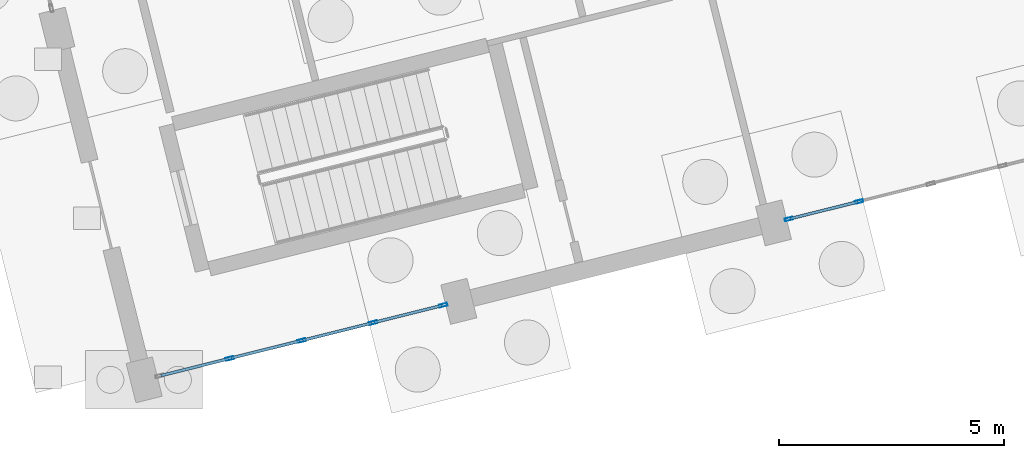
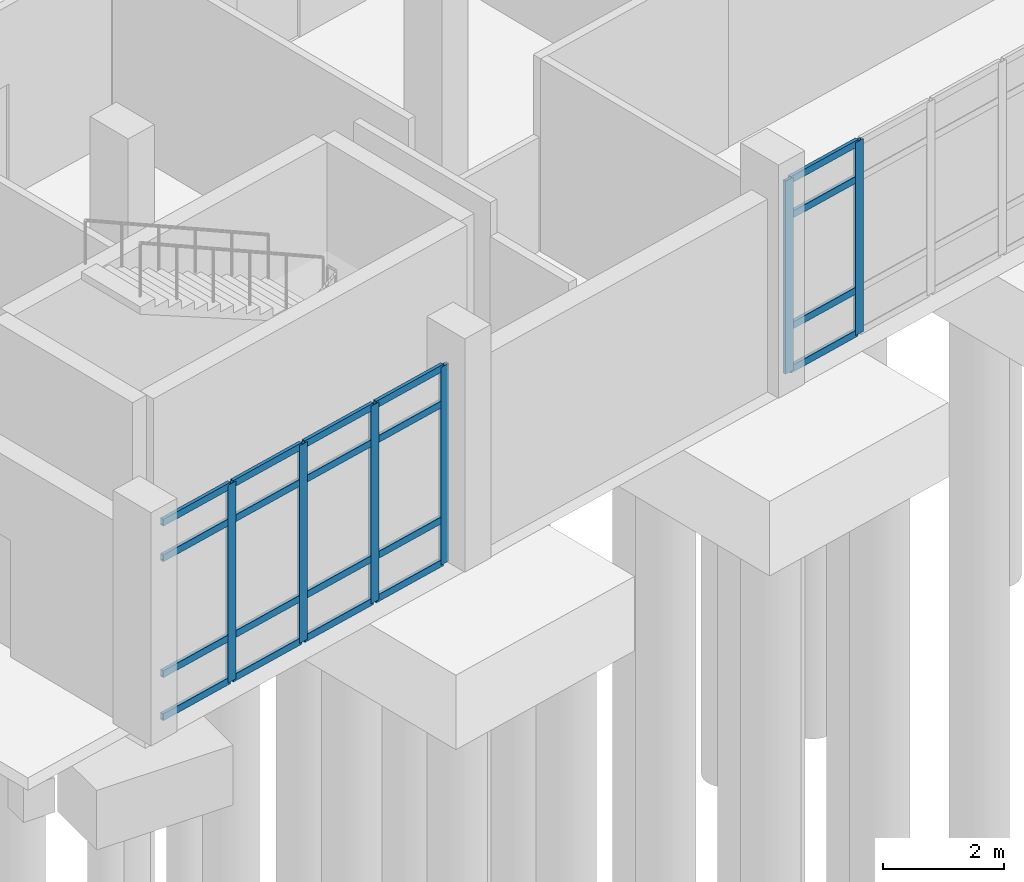
# One storey, part 91 of 173: 26 members, 2 elements without a shape of their own.
"""IFC4 building model written with IfcOpenShell, lengths in metres."""

from ifc_helpers import new_model, si_unit, direction, frame, origin, origin_2d, place, context, subcontext, project, spatial, hollow_rectangle, extrude, material, layer, layer_set, material_profile, profile_set, type_object, element, aggregate, save


model = new_model("IFC4")

# Units and contexts
model_context = context("Model", 3, precision=1e-05, world=origin(), true_north=direction((0.0, 1.0)))
body_context = subcontext(model_context, "Body", "Model", "MODEL_VIEW")
ifc_project = project(units=[si_unit("LENGTHUNIT", "METRE"), si_unit("AREAUNIT", "SQUARE_METRE"), si_unit("VOLUMEUNIT", "CUBIC_METRE"), si_unit("PLANEANGLEUNIT", "RADIAN"), si_unit("MASSUNIT", "GRAM", prefix="KILO")], contexts=[model_context])

# Site, building, storey
site_placement = place(None, origin())
site = spatial("IfcSite", under=ifc_project, at=site_placement, CompositionType="ELEMENT")
building_placement = place(site_placement, origin())
building = spatial("IfcBuilding", under=site, at=building_placement, Name="Mawjan Specialist Oncology Clinic", CompositionType="ELEMENT")
storey_placement = place(building_placement, origin())
storey = spatial("IfcBuildingStorey", under=building, at=storey_placement, Name="L00", CompositionType="ELEMENT", Elevation=0.0)

# Curtain wall, members
ifc_material_1 = material(Name="Unitised spectrally selective aluminium curtain wall", Category="aluminium")
ifc_layer_1 = layer(ifc_material_1, 0.179931640625, Name="Unitised spectrally selective aluminium curtain wall", Category="aluminium")
ifc_layer_set_1 = layer_set([ifc_layer_1], Name="Unitised spectrally selective aluminium curtain wall")
curtain_wall_type_1 = type_object("IfcCurtainWallType", Name="CW-36", PredefinedType="NOTDEFINED", material=ifc_layer_set_1)
curtain_wall_1_placement = place(storey_placement, origin())
curtain_wall_1 = element("IfcCurtainWall", 1, at=curtain_wall_1_placement, inside=storey, type_object=curtain_wall_type_1, Name="L00 Unitised Curtain Wall CW-L00-077", PredefinedType="NOTDEFINED")
ifc_material_2 = material(Name="Thermally broken aluminium 6063-T6", Category="aluminium")
ifc_material_profile_1 = material_profile(ifc_material_2, hollow_rectangle(XDim=0.06494140625, YDim=0.179931640625, WallThickness=0.00390625, at=origin_2d()), Name="ALU MULLION 180x65x4", Category="aluminium")
ifc_profile_set_1 = profile_set([ifc_material_profile_1], Name="Thermally broken aluminium 6063-T6")
member_type_1 = type_object("IfcMemberType", Name="CW-M180", PredefinedType="MULLION", material=ifc_profile_set_1)
member_1_placement = place(storey_placement, frame((141.8740234375, 4.7578125, 0.0), z_axis=(0.0, 0.0, 1.0), x_axis=(0.241921946692, -0.970295713537, 0.0)))
member_1 = element("IfcMember", 2, at=member_1_placement, type_object=member_type_1, Name="CW-36 mullion 4", PredefinedType="MULLION", context=body_context, shape_type="SweptSolid", body=[
    extrude(hollow_rectangle(XDim=0.06494140625, YDim=0.179931640625, WallThickness=0.00390625, at=origin_2d()), origin(), (0.0, 0.0, 1.0), 3.885009765625),
])
member_2_placement = place(storey_placement, frame((140.314208984375, 4.368896484375, 0.0), z_axis=(0.0, 0.0, 1.0), x_axis=(0.241921946692, -0.970295713537, 0.0)))
member_2 = element("IfcMember", 3, at=member_2_placement, type_object=member_type_1, Name="CW-36 mullion 5", PredefinedType="MULLION", context=body_context, shape_type="SweptSolid", body=[
    extrude(hollow_rectangle(XDim=0.06494140625, YDim=0.179931640625, WallThickness=0.00390625, at=origin_2d()), origin(), (0.0, 0.0, 1.0), 3.885009765625),
])

ifc_material_3 = material(Name="Unitised spectrally selective aluminium curtain wall", Category="aluminium")
ifc_layer_2 = layer(ifc_material_3, 0.179931640625, Name="Unitised spectrally selective aluminium curtain wall", Category="aluminium")
ifc_layer_set_2 = layer_set([ifc_layer_2], Name="Unitised spectrally selective aluminium curtain wall")
curtain_wall_type_2 = type_object("IfcCurtainWallType", Name="CW-37", PredefinedType="NOTDEFINED", material=ifc_layer_set_2)
curtain_wall_2_placement = place(storey_placement, origin())
curtain_wall_2 = element("IfcCurtainWall", 4, at=curtain_wall_2_placement, inside=storey, type_object=curtain_wall_type_2, Name="L00 Unitised Curtain Wall CW-L00-078", PredefinedType="NOTDEFINED")
member_3_placement = place(storey_placement, frame((132.64404296875, 2.45654296875, 0.0), z_axis=(0.0, 0.0, 1.0), x_axis=(0.241921982475, -0.970295704615, 0.0)))
member_3 = element("IfcMember", 5, at=member_3_placement, type_object=member_type_1, Name="CW-37 mullion 1", PredefinedType="MULLION", context=body_context, shape_type="SweptSolid", body=[
    extrude(hollow_rectangle(XDim=0.06494140625, YDim=0.179931640625, WallThickness=0.00390625, at=origin_2d()), origin(), (0.0, 0.0, 1.0), 3.985107421875),
])
member_4_placement = place(storey_placement, frame((131.084228515625, 2.067626953125, 0.0), z_axis=(0.0, 0.0, 1.0), x_axis=(0.241921982475, -0.970295704615, 0.0)))
member_4 = element("IfcMember", 6, at=member_4_placement, type_object=member_type_1, Name="CW-37 mullion 2", PredefinedType="MULLION", context=body_context, shape_type="SweptSolid", body=[
    extrude(hollow_rectangle(XDim=0.06494140625, YDim=0.179931640625, WallThickness=0.00390625, at=origin_2d()), origin(), (0.0, 0.0, 1.0), 3.985107421875),
])
member_5_placement = place(storey_placement, frame((129.4931640625, 1.6708984375, 0.0), z_axis=(0.0, 0.0, 1.0), x_axis=(0.241921982475, -0.970295704615, 0.0)))
member_5 = element("IfcMember", 7, at=member_5_placement, type_object=member_type_1, Name="CW-37 mullion 3", PredefinedType="MULLION", context=body_context, shape_type="SweptSolid", body=[
    extrude(hollow_rectangle(XDim=0.06494140625, YDim=0.179931640625, WallThickness=0.00390625, at=origin_2d()), origin(), (0.0, 0.0, 1.0), 3.985107421875),
])
member_6_placement = place(storey_placement, frame((127.90185546875, 1.274169921875, 0.0), z_axis=(0.0, 0.0, 1.0), x_axis=(0.241921982475, -0.970295704615, 0.0)))
member_6 = element("IfcMember", 8, at=member_6_placement, type_object=member_type_1, Name="CW-37 mullion 4", PredefinedType="MULLION", context=body_context, shape_type="SweptSolid", body=[
    extrude(hollow_rectangle(XDim=0.06494140625, YDim=0.179931640625, WallThickness=0.00390625, at=origin_2d()), origin(), (0.0, 0.0, 1.0), 3.985107421875),
])

# Member
ifc_material_4 = material(Name="Thermally broken aluminium 6063-T6", Category="aluminium")
ifc_material_profile_2 = material_profile(ifc_material_4, hollow_rectangle(XDim=0.06494140625, YDim=0.139892578125, WallThickness=0.00390625, at=origin_2d()), Name="ALU TRANSOM 140x65x4", Category="aluminium")
ifc_profile_set_2 = profile_set([ifc_material_profile_2], Name="Thermally broken aluminium 6063-T6")
member_type_2 = type_object("IfcMemberType", Name="CW-T140", PredefinedType="USERDEFINED", material=ifc_profile_set_2)
member_7_placement = place(storey_placement, frame((141.842529296875, 4.75, 0.032470703125), z_axis=(-0.970281979076, -0.241977025935, 0.0), x_axis=(0.241977025935, -0.970281979076, 0.0)))
member_7 = element("IfcMember", 9, at=member_7_placement, type_object=member_type_2, Name="CW-36 transom 4.1", ObjectType="TRANSOM", PredefinedType="USERDEFINED", context=body_context, shape_type="SweptSolid", body=[
    extrude(hollow_rectangle(XDim=0.06494140625, YDim=0.139892578125, WallThickness=0.00390625, at=origin_2d()), origin(), (0.0, 0.0, 1.0), 1.542724609375),
])

member_8_placement = place(storey_placement, frame((141.842529296875, 4.75, 0.89990234375), z_axis=(-0.970281979076, -0.241977025935, 0.0), x_axis=(0.241977025935, -0.970281979076, 0.0)))
member_8 = element("IfcMember", 10, at=member_8_placement, type_object=member_type_2, Name="CW-36 transom 4.2", ObjectType="TRANSOM", PredefinedType="USERDEFINED", context=body_context, shape_type="SweptSolid", body=[
    extrude(hollow_rectangle(XDim=0.06494140625, YDim=0.139892578125, WallThickness=0.00390625, at=origin_2d()), origin(), (0.0, 0.0, 1.0), 1.542724609375),
])

member_9_placement = place(storey_placement, frame((141.842529296875, 4.75, 3.135009765625), z_axis=(-0.970281979076, -0.241977025935, 0.0), x_axis=(0.241977025935, -0.970281979076, 0.0)))
member_9 = element("IfcMember", 11, at=member_9_placement, type_object=member_type_2, Name="CW-36 transom 4.3", ObjectType="TRANSOM", PredefinedType="USERDEFINED", context=body_context, shape_type="SweptSolid", body=[
    extrude(hollow_rectangle(XDim=0.06494140625, YDim=0.139892578125, WallThickness=0.00390625, at=origin_2d()), origin(), (0.0, 0.0, 1.0), 1.542724609375),
])

member_10_placement = place(storey_placement, frame((141.842529296875, 4.75, 3.8525390625), z_axis=(-0.970281979076, -0.241977025935, 0.0), x_axis=(0.241977025935, -0.970281979076, 0.0)))
member_10 = element("IfcMember", 12, at=member_10_placement, type_object=member_type_2, Name="CW-36 transom 4.4", ObjectType="TRANSOM", PredefinedType="USERDEFINED", context=body_context, shape_type="SweptSolid", body=[
    extrude(hollow_rectangle(XDim=0.06494140625, YDim=0.139892578125, WallThickness=0.00390625, at=origin_2d()), origin(), (0.0, 0.0, 1.0), 1.542724609375),
])

aggregate(curtain_wall_1, [member_1, member_2, member_7, member_8, member_9, member_10])

member_11_placement = place(storey_placement, frame((132.612548828125, 2.44873046875, 0.032470703125), z_axis=(-0.970272710459, -0.242014188302, 0.0), x_axis=(0.242014188302, -0.970272710459, 0.0)))
member_11 = element("IfcMember", 13, at=member_11_placement, type_object=member_type_2, Name="CW-37 transom 1.1", ObjectType="TRANSOM", PredefinedType="USERDEFINED", context=body_context, shape_type="SweptSolid", body=[
    extrude(hollow_rectangle(XDim=0.06494140625, YDim=0.139892578125, WallThickness=0.00390625, at=origin_2d()), origin(), (0.0, 0.0, 1.0), 1.54248046875),
])

member_12_placement = place(storey_placement, frame((132.612548828125, 2.44873046875, 0.89990234375), z_axis=(-0.970272710459, -0.242014188302, 0.0), x_axis=(0.242014188302, -0.970272710459, 0.0)))
member_12 = element("IfcMember", 14, at=member_12_placement, type_object=member_type_2, Name="CW-37 transom 1.2", ObjectType="TRANSOM", PredefinedType="USERDEFINED", context=body_context, shape_type="SweptSolid", body=[
    extrude(hollow_rectangle(XDim=0.06494140625, YDim=0.139892578125, WallThickness=0.00390625, at=origin_2d()), origin(), (0.0, 0.0, 1.0), 1.54248046875),
])

member_13_placement = place(storey_placement, frame((132.612548828125, 2.44873046875, 3.235107421875), z_axis=(-0.970272710459, -0.242014188302, 0.0), x_axis=(0.242014188302, -0.970272710459, 0.0)))
member_13 = element("IfcMember", 15, at=member_13_placement, type_object=member_type_2, Name="CW-37 transom 1.3", ObjectType="TRANSOM", PredefinedType="USERDEFINED", context=body_context, shape_type="SweptSolid", body=[
    extrude(hollow_rectangle(XDim=0.06494140625, YDim=0.139892578125, WallThickness=0.00390625, at=origin_2d()), origin(), (0.0, 0.0, 1.0), 1.54248046875),
])

member_14_placement = place(storey_placement, frame((132.612548828125, 2.44873046875, 3.952392578125), z_axis=(-0.970272710459, -0.242014188302, 0.0), x_axis=(0.242014188302, -0.970272710459, 0.0)))
member_14 = element("IfcMember", 16, at=member_14_placement, type_object=member_type_2, Name="CW-37 transom 1.4", ObjectType="TRANSOM", PredefinedType="USERDEFINED", context=body_context, shape_type="SweptSolid", body=[
    extrude(hollow_rectangle(XDim=0.06494140625, YDim=0.139892578125, WallThickness=0.00390625, at=origin_2d()), origin(), (0.0, 0.0, 1.0), 1.54248046875),
])

member_15_placement = place(storey_placement, frame((131.052734375, 2.059814453125, 0.032470703125), z_axis=(-0.970279129475, -0.241988452007, 0.0), x_axis=(0.241988452007, -0.970279129475, 0.0)))
member_15 = element("IfcMember", 17, at=member_15_placement, type_object=member_type_2, Name="CW-37 transom 2.1", ObjectType="TRANSOM", PredefinedType="USERDEFINED", context=body_context, shape_type="SweptSolid", body=[
    extrude(hollow_rectangle(XDim=0.06494140625, YDim=0.139892578125, WallThickness=0.00390625, at=origin_2d()), origin(), (0.0, 0.0, 1.0), 1.574951171875),
])

member_16_placement = place(storey_placement, frame((131.052734375, 2.059814453125, 0.89990234375), z_axis=(-0.970279129475, -0.241988452007, 0.0), x_axis=(0.241988452007, -0.970279129475, 0.0)))
member_16 = element("IfcMember", 18, at=member_16_placement, type_object=member_type_2, Name="CW-37 transom 2.2", ObjectType="TRANSOM", PredefinedType="USERDEFINED", context=body_context, shape_type="SweptSolid", body=[
    extrude(hollow_rectangle(XDim=0.06494140625, YDim=0.139892578125, WallThickness=0.00390625, at=origin_2d()), origin(), (0.0, 0.0, 1.0), 1.574951171875),
])

member_17_placement = place(storey_placement, frame((131.052734375, 2.059814453125, 3.235107421875), z_axis=(-0.970279129475, -0.241988452007, 0.0), x_axis=(0.241988452007, -0.970279129475, 0.0)))
member_17 = element("IfcMember", 19, at=member_17_placement, type_object=member_type_2, Name="CW-37 transom 2.3", ObjectType="TRANSOM", PredefinedType="USERDEFINED", context=body_context, shape_type="SweptSolid", body=[
    extrude(hollow_rectangle(XDim=0.06494140625, YDim=0.139892578125, WallThickness=0.00390625, at=origin_2d()), origin(), (0.0, 0.0, 1.0), 1.574951171875),
])

member_18_placement = place(storey_placement, frame((131.052734375, 2.059814453125, 3.952392578125), z_axis=(-0.970279129475, -0.241988452007, 0.0), x_axis=(0.241988452007, -0.970279129475, 0.0)))
member_18 = element("IfcMember", 20, at=member_18_placement, type_object=member_type_2, Name="CW-37 transom 2.4", ObjectType="TRANSOM", PredefinedType="USERDEFINED", context=body_context, shape_type="SweptSolid", body=[
    extrude(hollow_rectangle(XDim=0.06494140625, YDim=0.139892578125, WallThickness=0.00390625, at=origin_2d()), origin(), (0.0, 0.0, 1.0), 1.574951171875),
])

member_19_placement = place(storey_placement, frame((129.46142578125, 1.6630859375, 0.032470703125), z_axis=(-0.970279129475, -0.241988452007, 0.0), x_axis=(0.241988452007, -0.970279129475, 0.0)))
member_19 = element("IfcMember", 21, at=member_19_placement, type_object=member_type_2, Name="CW-37 transom 3.1", ObjectType="TRANSOM", PredefinedType="USERDEFINED", context=body_context, shape_type="SweptSolid", body=[
    extrude(hollow_rectangle(XDim=0.06494140625, YDim=0.139892578125, WallThickness=0.00390625, at=origin_2d()), origin(), (0.0, 0.0, 1.0), 1.574951171875),
])

member_20_placement = place(storey_placement, frame((129.46142578125, 1.6630859375, 0.89990234375), z_axis=(-0.970279129475, -0.241988452007, 0.0), x_axis=(0.241988452007, -0.970279129475, 0.0)))
member_20 = element("IfcMember", 22, at=member_20_placement, type_object=member_type_2, Name="CW-37 transom 3.2", ObjectType="TRANSOM", PredefinedType="USERDEFINED", context=body_context, shape_type="SweptSolid", body=[
    extrude(hollow_rectangle(XDim=0.06494140625, YDim=0.139892578125, WallThickness=0.00390625, at=origin_2d()), origin(), (0.0, 0.0, 1.0), 1.574951171875),
])

member_21_placement = place(storey_placement, frame((129.46142578125, 1.6630859375, 3.235107421875), z_axis=(-0.970279129475, -0.241988452007, 0.0), x_axis=(0.241988452007, -0.970279129475, 0.0)))
member_21 = element("IfcMember", 23, at=member_21_placement, type_object=member_type_2, Name="CW-37 transom 3.3", ObjectType="TRANSOM", PredefinedType="USERDEFINED", context=body_context, shape_type="SweptSolid", body=[
    extrude(hollow_rectangle(XDim=0.06494140625, YDim=0.139892578125, WallThickness=0.00390625, at=origin_2d()), origin(), (0.0, 0.0, 1.0), 1.574951171875),
])

member_22_placement = place(storey_placement, frame((129.46142578125, 1.6630859375, 3.952392578125), z_axis=(-0.970279129475, -0.241988452007, 0.0), x_axis=(0.241988452007, -0.970279129475, 0.0)))
member_22 = element("IfcMember", 24, at=member_22_placement, type_object=member_type_2, Name="CW-37 transom 3.4", ObjectType="TRANSOM", PredefinedType="USERDEFINED", context=body_context, shape_type="SweptSolid", body=[
    extrude(hollow_rectangle(XDim=0.06494140625, YDim=0.139892578125, WallThickness=0.00390625, at=origin_2d()), origin(), (0.0, 0.0, 1.0), 1.574951171875),
])

member_23_placement = place(storey_placement, frame((127.870361328125, 1.266357421875, 0.032470703125), z_axis=(-0.970281979076, -0.241977025935, 0.0), x_axis=(0.241977025935, -0.970281979076, 0.0)))
member_23 = element("IfcMember", 25, at=member_23_placement, type_object=member_type_2, Name="CW-37 transom 4.1", ObjectType="TRANSOM", PredefinedType="USERDEFINED", context=body_context, shape_type="SweptSolid", body=[
    extrude(hollow_rectangle(XDim=0.06494140625, YDim=0.139892578125, WallThickness=0.00390625, at=origin_2d()), origin(), (0.0, 0.0, 1.0), 1.542724609375),
])

member_24_placement = place(storey_placement, frame((127.870361328125, 1.266357421875, 0.89990234375), z_axis=(-0.970281979076, -0.241977025935, 0.0), x_axis=(0.241977025935, -0.970281979076, 0.0)))
member_24 = element("IfcMember", 26, at=member_24_placement, type_object=member_type_2, Name="CW-37 transom 4.2", ObjectType="TRANSOM", PredefinedType="USERDEFINED", context=body_context, shape_type="SweptSolid", body=[
    extrude(hollow_rectangle(XDim=0.06494140625, YDim=0.139892578125, WallThickness=0.00390625, at=origin_2d()), origin(), (0.0, 0.0, 1.0), 1.542724609375),
])

member_25_placement = place(storey_placement, frame((127.870361328125, 1.266357421875, 3.235107421875), z_axis=(-0.970281979076, -0.241977025935, 0.0), x_axis=(0.241977025935, -0.970281979076, 0.0)))
member_25 = element("IfcMember", 27, at=member_25_placement, type_object=member_type_2, Name="CW-37 transom 4.3", ObjectType="TRANSOM", PredefinedType="USERDEFINED", context=body_context, shape_type="SweptSolid", body=[
    extrude(hollow_rectangle(XDim=0.06494140625, YDim=0.139892578125, WallThickness=0.00390625, at=origin_2d()), origin(), (0.0, 0.0, 1.0), 1.542724609375),
])

member_26_placement = place(storey_placement, frame((127.870361328125, 1.266357421875, 3.952392578125), z_axis=(-0.970281979076, -0.241977025935, 0.0), x_axis=(0.241977025935, -0.970281979076, 0.0)))
member_26 = element("IfcMember", 28, at=member_26_placement, type_object=member_type_2, Name="CW-37 transom 4.4", ObjectType="TRANSOM", PredefinedType="USERDEFINED", context=body_context, shape_type="SweptSolid", body=[
    extrude(hollow_rectangle(XDim=0.06494140625, YDim=0.139892578125, WallThickness=0.00390625, at=origin_2d()), origin(), (0.0, 0.0, 1.0), 1.542724609375),
])

aggregate(curtain_wall_2, [member_3, member_4, member_5, member_6, member_11, member_12, member_13, member_14, member_15, member_16, member_17, member_18, member_19, member_20, member_21, member_22, member_23, member_24, member_25, member_26])

save(model, "model.ifc")
